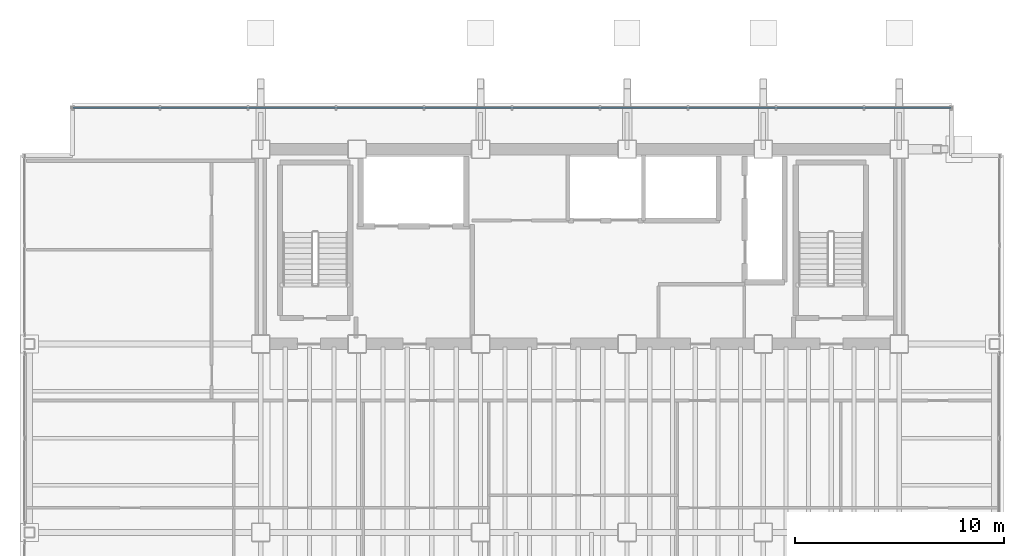
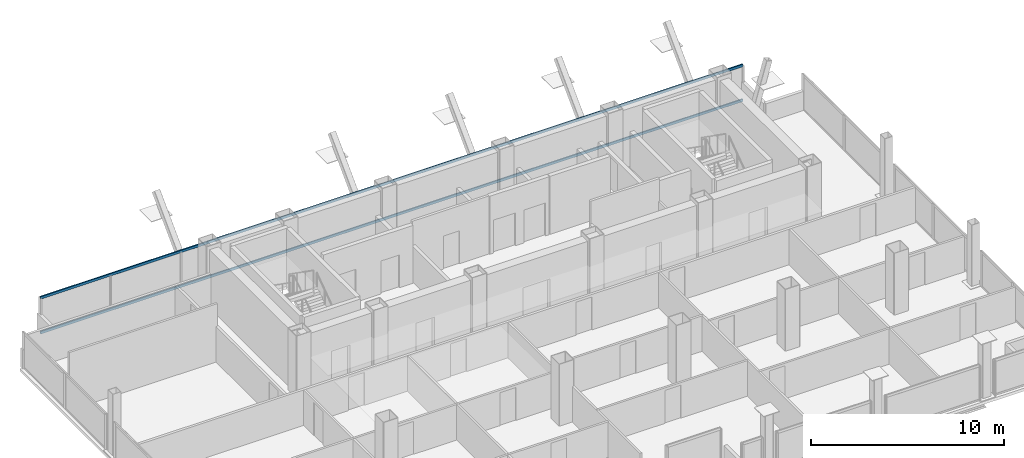
# One storey, part 11 of 22: 2 members, 1 element without a shape of its own.
"""IFC4 building model written with IfcOpenShell, lengths in metres."""

from ifc_helpers import new_model, si_unit, direction, frame, origin, origin_2d, place, context, subcontext, project, spatial, hollow_rectangle, extrude, material, material_profile, profile_set, type_object, element, aggregate, save


model = new_model("IFC4")

# Units and contexts
model_context = context("Model", 3, precision=1e-05, world=origin(), true_north=direction((0.0, 1.0)))
body_context = subcontext(model_context, "Body", "Model", "MODEL_VIEW")
ifc_project = project(units=[si_unit("LENGTHUNIT", "METRE"), si_unit("AREAUNIT", "SQUARE_METRE"), si_unit("VOLUMEUNIT", "CUBIC_METRE"), si_unit("PLANEANGLEUNIT", "RADIAN"), si_unit("MASSUNIT", "GRAM", prefix="KILO")], contexts=[model_context])

# Site, building, storey
site_placement = place(None, origin())
site = spatial("IfcSite", under=ifc_project, at=site_placement, CompositionType="ELEMENT")
building_placement = place(site_placement, origin())
building = spatial("IfcBuilding", under=site, at=building_placement, Name="Noeulbin Bourse Tower", CompositionType="ELEMENT")
storey_placement = place(building_placement, frame((0.0, 0.0, 138.300048828125)))
storey = spatial("IfcBuildingStorey", under=building, at=storey_placement, Name="L34", CompositionType="ELEMENT", Elevation=138.300048828125)

# Curtain wall, members
ifc_material_1 = material(Name="Dark Tinted Triple Glazing", Category="glass")
curtain_wall_type = type_object("IfcCurtainWallType", Name="CW-SYS-3", PredefinedType="NOTDEFINED", material=ifc_material_1)
curtain_wall_placement = place(storey_placement, origin())
curtain_wall = element("IfcCurtainWall", 1, at=curtain_wall_placement, inside=storey, type_object=curtain_wall_type, Name="Unitised Curtain Wall CW-L34-N", PredefinedType="NOTDEFINED")
ifc_material_2 = material(Name="Anodised Aluminium 6063-T6", Category="aluminium")
ifc_material_profile = material_profile(ifc_material_2, hollow_rectangle(XDim=0.074951171875, YDim=0.159912109375, WallThickness=0.0048828125, InnerFilletRadius=0.00244140625, OuterFilletRadius=0.0048828125, at=origin_2d()), Name="ALU-TRAN-75x160x5", Category="LoadBearing")
ifc_profile_set = profile_set([ifc_material_profile], Name="Anodised Aluminium 6063-T6")
member_type = type_object("IfcMemberType", Name="CW-SYS-3-TRN", PredefinedType="USERDEFINED", material=ifc_profile_set)
member_1_placement = place(storey_placement, frame((4.530029296875, 40.280029296875, 0.010009765625), z_axis=(1.0, 0.0, 0.0), x_axis=(0.0, 1.0, 0.0)))
member_1 = element("IfcMember", 2, at=member_1_placement, type_object=member_type, Name="Curtain Wall Transom CW-L34-N-T00", ObjectType="TRANSOM", PredefinedType="USERDEFINED", context=body_context, shape_type="SweptSolid", body=[
    extrude(hollow_rectangle(XDim=0.074951171875, YDim=0.159912109375, WallThickness=0.0048828125, InnerFilletRadius=0.00244140625, OuterFilletRadius=0.0048828125, at=origin_2d()), origin(), (0.0, 0.0, 1.0), 41.93994140625),
])
member_2_placement = place(storey_placement, frame((4.530029296875, 40.280029296875, 2.2099609375), z_axis=(1.0, 0.0, 0.0), x_axis=(0.0, 1.0, 0.0)))
member_2 = element("IfcMember", 3, at=member_2_placement, type_object=member_type, Name="Curtain Wall Transom CW-L34-N-T01", ObjectType="TRANSOM", PredefinedType="USERDEFINED", context=body_context, shape_type="SweptSolid", body=[
    extrude(hollow_rectangle(XDim=0.074951171875, YDim=0.159912109375, WallThickness=0.0048828125, InnerFilletRadius=0.00244140625, OuterFilletRadius=0.0048828125, at=origin_2d()), origin(), (0.0, 0.0, 1.0), 41.93994140625),
])
aggregate(curtain_wall, [member_1, member_2])

save(model, "model.ifc")
